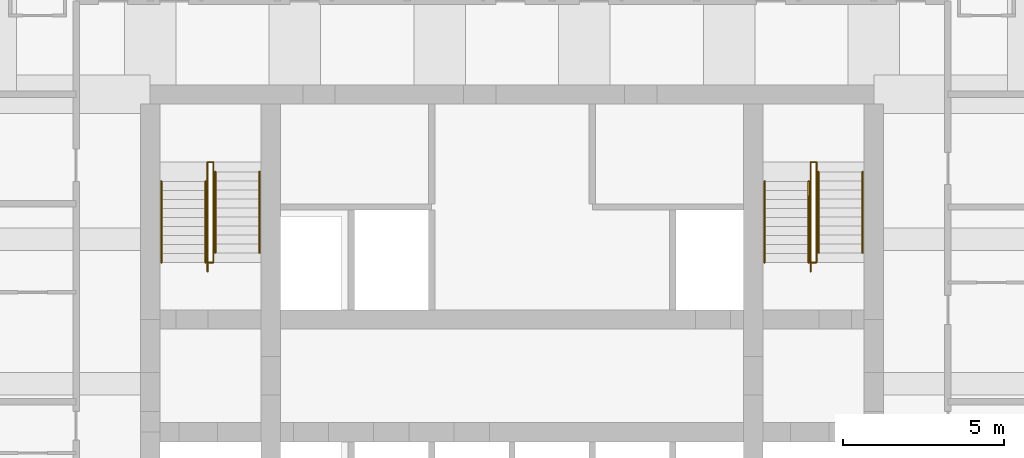
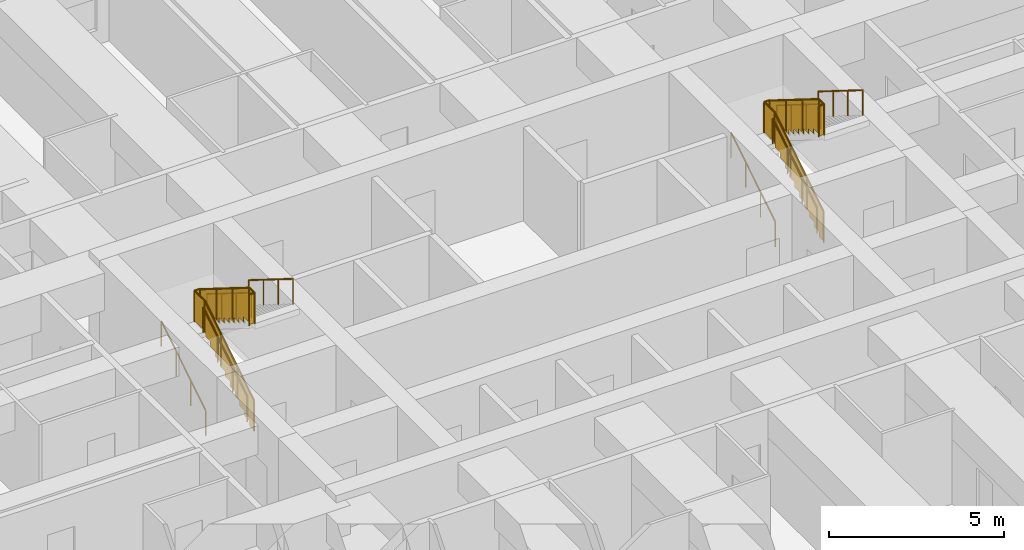
# One storey, part 8 of 8: 12 railings.
"""IFC4 building model written with IfcOpenShell, lengths in metres."""

from ifc_helpers import new_model, si_unit, direction, frame, origin, origin_2d, place, context, subcontext, project, spatial, polyline, circle, outline, extrude, material, type_object, element, save


model = new_model("IFC4")

# Units and contexts
model_context = context("Model", 3, precision=1e-05, world=origin(), true_north=direction((0.0, 1.0)))
body_context = subcontext(model_context, "Body", "Model", "MODEL_VIEW")
ifc_project = project(units=[si_unit("LENGTHUNIT", "METRE"), si_unit("AREAUNIT", "SQUARE_METRE"), si_unit("VOLUMEUNIT", "CUBIC_METRE"), si_unit("PLANEANGLEUNIT", "RADIAN"), si_unit("MASSUNIT", "GRAM", prefix="KILO")], contexts=[model_context])

# Site, building, storey
site_placement = place(None, origin())
site = spatial("IfcSite", under=ifc_project, at=site_placement, CompositionType="ELEMENT")
building_placement = place(site_placement, origin())
building = spatial("IfcBuilding", under=site, at=building_placement, Name="Kilele Tower Hotel", CompositionType="ELEMENT")
storey_placement = place(building_placement, frame((0.0, 0.0, 57.699951171875)))
storey = spatial("IfcBuildingStorey", under=building, at=storey_placement, Name="L13", CompositionType="ELEMENT", Elevation=57.699951171875)

# Railings
ifc_material_1 = material(Name="Steel handrail", Category="steel")
railing_type_1 = type_object("IfcRailingType", Name="Handrail 900", PredefinedType="HANDRAIL", material=ifc_material_1)
for number, where, name in (
    (1, (13.85009765625, 21.77490234375, 0.175048828125), "Handrail ST1 flight 1"),
    (2, (15.22509765625, 21.77490234375, 0.175048828125), "Handrail ST1 flight 1"),
):
    element("IfcRailing", number, at=place(storey_placement, frame(where)), inside=storey, type_object=railing_type_1, Name=name, PredefinedType="HANDRAIL", context=body_context, shape_type="SweptSolid", body=[
        extrude(circle(Radius=0.02490234375, at=origin_2d()), frame((0.0, 0.0, 0.875), z_axis=(0.0, 0.848007534815, 0.529984170421), x_axis=(-1.0, 0.0, 0.0)), (0.0, 0.0, 1.0), 2.9716796875),
        extrude(circle(Radius=0.02001953125, at=origin_2d()), origin(), (0.0, 0.0, 1.0), 0.849853515625),
        extrude(circle(Radius=0.02001953125, at=origin_2d()), frame((0.0, 0.840087890625, 0.52490234375)), (0.0, 0.0, 1.0), 0.849853515625),
        extrude(circle(Radius=0.02001953125, at=origin_2d()), frame((0.0, 1.679931640625, 1.050048828125)), (0.0, 0.0, 1.0), 0.849853515625),
        extrude(circle(Radius=0.02001953125, at=origin_2d()), frame((0.0, 2.52001953125, 1.574951171875)), (0.0, 0.0, 1.0), 0.849853515625),
    ])
for number, where, name in (
    (3, (15.52490234375, 24.594970703125, 1.925048828125), "Handrail ST1 flight 2"),
    (4, (16.89990234375, 24.594970703125, 1.925048828125), "Handrail ST1 flight 2"),
):
    element("IfcRailing", number, at=place(storey_placement, frame(where)), inside=storey, type_object=railing_type_1, Name=name, PredefinedType="HANDRAIL", context=body_context, shape_type="SweptSolid", body=[
        extrude(circle(Radius=0.02490234375, at=origin_2d()), frame((0.0, 0.0, 0.875), z_axis=(0.0, -0.848007534815, 0.529984170421), x_axis=(1.0, 0.0, 0.0)), (0.0, 0.0, 1.0), 2.9716796875),
        extrude(circle(Radius=0.02001953125, at=origin_2d()), origin(), (0.0, 0.0, 1.0), 0.849853515625),
        extrude(circle(Radius=0.02001953125, at=origin_2d()), frame((0.0, -0.840087890625, 0.52490234375)), (0.0, 0.0, 1.0), 0.849853515625),
        extrude(circle(Radius=0.02001953125, at=origin_2d()), frame((0.0, -1.679931640625, 1.050048828125)), (0.0, 0.0, 1.0), 0.849853515625),
        extrude(circle(Radius=0.02001953125, at=origin_2d()), frame((0.0, -2.52001953125, 1.574951171875)), (0.0, 0.0, 1.0), 0.849853515625),
    ])
for number, where, name in (
    (5, (32.60009765625, 21.77490234375, 0.175048828125), "Handrail ST2 flight 1"),
    (6, (33.97509765625, 21.77490234375, 0.175048828125), "Handrail ST2 flight 1"),
):
    element("IfcRailing", number, at=place(storey_placement, frame(where)), inside=storey, type_object=railing_type_1, Name=name, PredefinedType="HANDRAIL", context=body_context, shape_type="SweptSolid", body=[
        extrude(circle(Radius=0.02490234375, at=origin_2d()), frame((0.0, 0.0, 0.875), z_axis=(0.0, 0.848007534815, 0.529984170421), x_axis=(-1.0, 0.0, 0.0)), (0.0, 0.0, 1.0), 2.9716796875),
        extrude(circle(Radius=0.02001953125, at=origin_2d()), origin(), (0.0, 0.0, 1.0), 0.849853515625),
        extrude(circle(Radius=0.02001953125, at=origin_2d()), frame((0.0, 0.840087890625, 0.52490234375)), (0.0, 0.0, 1.0), 0.849853515625),
        extrude(circle(Radius=0.02001953125, at=origin_2d()), frame((0.0, 1.679931640625, 1.050048828125)), (0.0, 0.0, 1.0), 0.849853515625),
        extrude(circle(Radius=0.02001953125, at=origin_2d()), frame((0.0, 2.52001953125, 1.574951171875)), (0.0, 0.0, 1.0), 0.849853515625),
    ])
for number, where, name in (
    (7, (34.27490234375, 24.594970703125, 1.925048828125), "Handrail ST2 flight 2"),
    (8, (35.64990234375, 24.594970703125, 1.925048828125), "Handrail ST2 flight 2"),
):
    element("IfcRailing", number, at=place(storey_placement, frame(where)), inside=storey, type_object=railing_type_1, Name=name, PredefinedType="HANDRAIL", context=body_context, shape_type="SweptSolid", body=[
        extrude(circle(Radius=0.02490234375, at=origin_2d()), frame((0.0, 0.0, 0.875), z_axis=(0.0, -0.848007534815, 0.529984170421), x_axis=(1.0, 0.0, 0.0)), (0.0, 0.0, 1.0), 2.9716796875),
        extrude(circle(Radius=0.02001953125, at=origin_2d()), origin(), (0.0, 0.0, 1.0), 0.849853515625),
        extrude(circle(Radius=0.02001953125, at=origin_2d()), frame((0.0, -0.840087890625, 0.52490234375)), (0.0, 0.0, 1.0), 0.849853515625),
        extrude(circle(Radius=0.02001953125, at=origin_2d()), frame((0.0, -1.679931640625, 1.050048828125)), (0.0, 0.0, 1.0), 0.849853515625),
        extrude(circle(Radius=0.02001953125, at=origin_2d()), frame((0.0, -2.52001953125, 1.574951171875)), (0.0, 0.0, 1.0), 0.849853515625),
    ])
ifc_material_2 = material(Name="Steel guard", Category="steel")
railing_type_2 = type_object("IfcRailingType", Name="Stair guard 1100", PredefinedType="GUARDRAIL", material=ifc_material_2)
railing_1_placement = place(storey_placement, frame((15.284912109375, 21.4951171875, 0.0)))
element("IfcRailing", 9, at=railing_1_placement, inside=storey, type_object=railing_type_2, Name="Stair well guard ST1 flight 1", PredefinedType="GUARDRAIL", context=body_context, shape_type="SweptSolid", body=[
    extrude(circle(Radius=0.02490234375, at=origin_2d()), frame((0.0, 0.0, 1.0751953125), z_axis=(0.0, 0.847981687118, 0.530025526095), x_axis=(-1.0, 0.0, 0.0)), (0.0, 0.0, 1.0), 3.3017578125),
    extrude(circle(Radius=0.02490234375, at=origin_2d()), frame((0.0, 2.7998046875, 2.8251953125), z_axis=(0.0, 1.0, 0.0), x_axis=(-1.0, 0.0, 0.0)), (0.0, 0.0, 1.0), 0.60009765625),
    extrude(circle(Radius=0.02490234375, at=origin_2d()), frame((0.0, 3.39990234375, 2.8251953125), z_axis=(1.0, 0.0, 0.0), x_axis=(0.0, 1.0, 0.0)), (0.0, 0.0, 1.0), 0.18017578125),
    extrude(circle(Radius=0.02490234375, at=origin_2d()), origin(), (0.0, 0.0, 1.0), 1.050048828125),
    extrude(circle(Radius=0.02490234375, at=origin_2d()), frame((0.0, 0.933349609375, 0.583251953125)), (0.0, 0.0, 1.0), 1.050048828125),
    extrude(circle(Radius=0.02490234375, at=origin_2d()), frame((0.0, 1.866455078125, 1.166748046875)), (0.0, 0.0, 1.0), 1.050048828125),
    extrude(circle(Radius=0.02490234375, at=origin_2d()), frame((0.0, 2.7998046875, 1.75)), (0.0, 0.0, 1.0), 1.050048828125),
    extrude(circle(Radius=0.02490234375, at=origin_2d()), frame((0.0, 3.39990234375, 1.75)), (0.0, 0.0, 1.0), 1.050048828125),
    extrude(circle(Radius=0.02490234375, at=origin_2d()), frame((0.18017578125, 3.39990234375, 1.75)), (0.0, 0.0, 1.0), 1.050048828125),
    extrude(outline(polyline([(0.012451171875, 0.030029296875), (0.25, 0.030029296875), (0.25, 0.205078125), (0.530029296875, 0.205078125), (0.530029296875, 0.380126953125), (0.809814453125, 0.380126953125), (0.809814453125, 0.554931640625), (1.08984375, 0.554931640625), (1.08984375, 0.72998046875), (1.369873046875, 0.72998046875), (1.369873046875, 0.905029296875), (1.64990234375, 0.905029296875), (1.64990234375, 1.080078125), (1.929931640625, 1.080078125), (1.929931640625, 1.255126953125), (2.209716796875, 1.255126953125), (2.209716796875, 1.429931640625), (2.48974609375, 1.429931640625), (2.48974609375, 1.60498046875), (2.769775390625, 1.60498046875), (2.769775390625, 1.780029296875), (2.787353515625, 1.780029296875), (2.787353515625, 2.787841796875), (0.012451171875, 1.053466796875), (0.012451171875, 0.030029296875)])), frame((-0.005859375, 0.0, 0.0), z_axis=(1.0, 0.0, 0.0), x_axis=(0.0, 1.0, 0.0)), (0.0, 0.0, 1.0), 0.011962890625),
    extrude(outline(polyline([(0.012451171875, 0.030029296875), (0.587646484375, 0.030029296875), (0.587646484375, 1.050048828125), (0.012451171875, 1.050048828125), (0.012451171875, 0.030029296875)])), frame((-0.005859375, 2.7998046875, 1.75), z_axis=(1.0, 0.0, 0.0), x_axis=(0.0, 1.0, 0.0)), (0.0, 0.0, 1.0), 0.011962890625),
    extrude(outline(polyline([(0.012451171875, 0.030029296875), (0.18017578125, 0.030029296875), (0.18017578125, 1.050048828125), (0.012451171875, 1.050048828125), (0.012451171875, 0.030029296875)])), frame((0.0, 3.40576171875, 1.75), z_axis=(0.0, -1.0, 0.0), x_axis=(1.0, 0.0, 0.0)), (0.0, 0.0, 1.0), 0.011962890625),
])
railing_2_placement = place(storey_placement, frame((15.465087890625, 24.89501953125, 1.75)))
element("IfcRailing", 10, at=railing_2_placement, inside=storey, type_object=railing_type_2, Name="Stair well guard ST1 flight 2", PredefinedType="GUARDRAIL", context=body_context, shape_type="SweptSolid", body=[
    extrude(circle(Radius=0.02490234375, at=origin_2d()), frame((0.0, 0.0, 1.0751953125), z_axis=(0.0, -1.0, 0.0), x_axis=(1.0, 0.0, 0.0)), (0.0, 0.0, 1.0), 0.02001953125),
    extrude(circle(Radius=0.02490234375, at=origin_2d()), frame((0.0, -0.02001953125, 1.0751953125), z_axis=(0.0, -0.848002457836, 0.529992293815), x_axis=(1.0, 0.0, 0.0)), (0.0, 0.0, 1.0), 3.302001953125),
    extrude(circle(Radius=0.02490234375, at=origin_2d()), frame((0.0, -2.820068359375, 2.8251953125), z_axis=(0.0, -1.0, 0.0), x_axis=(1.0, 0.0, 0.0)), (0.0, 0.0, 1.0), 0.300048828125),
    extrude(circle(Radius=0.02490234375, at=origin_2d()), frame((0.0, -3.1201171875, 2.8251953125), z_axis=(-1.0, 0.0, 0.0), x_axis=(0.0, -1.0, 0.0)), (0.0, 0.0, 1.0), 0.18017578125),
    extrude(circle(Radius=0.02490234375, at=origin_2d()), origin(), (0.0, 0.0, 1.0), 1.050048828125),
    extrude(circle(Radius=0.02490234375, at=origin_2d()), frame((0.0, -0.02001953125, 0.0)), (0.0, 0.0, 1.0), 1.050048828125),
    extrude(circle(Radius=0.02490234375, at=origin_2d()), frame((0.0, -0.953369140625, 0.583251953125)), (0.0, 0.0, 1.0), 1.050048828125),
    extrude(circle(Radius=0.02490234375, at=origin_2d()), frame((0.0, -1.88671875, 1.166748046875)), (0.0, 0.0, 1.0), 1.050048828125),
    extrude(circle(Radius=0.02490234375, at=origin_2d()), frame((0.0, -2.820068359375, 1.75)), (0.0, 0.0, 1.0), 1.050048828125),
    extrude(circle(Radius=0.02490234375, at=origin_2d()), frame((0.0, -3.1201171875, 1.75)), (0.0, 0.0, 1.0), 1.050048828125),
    extrude(circle(Radius=0.02490234375, at=origin_2d()), frame((-0.18017578125, -3.1201171875, 1.75)), (0.0, 0.0, 1.0), 1.050048828125),
    extrude(outline(polyline([(0.012451171875, 0.030029296875), (0.25, 0.030029296875), (0.25, 0.205078125), (0.530029296875, 0.205078125), (0.530029296875, 0.380126953125), (0.81005859375, 0.380126953125), (0.81005859375, 0.554931640625), (1.090087890625, 0.554931640625), (1.090087890625, 0.72998046875), (1.3701171875, 0.72998046875), (1.3701171875, 0.905029296875), (1.64990234375, 0.905029296875), (1.64990234375, 1.080078125), (1.929931640625, 1.080078125), (1.929931640625, 1.255126953125), (2.2099609375, 1.255126953125), (2.2099609375, 1.429931640625), (2.489990234375, 1.429931640625), (2.489990234375, 1.60498046875), (2.77001953125, 1.60498046875), (2.77001953125, 1.780029296875), (2.78759765625, 1.780029296875), (2.78759765625, 2.787841796875), (0.012451171875, 1.053466796875), (0.012451171875, 0.030029296875)])), frame((0.005859375, -0.02001953125, 0.0), z_axis=(-1.0, 0.0, 0.0), x_axis=(0.0, -1.0, 0.0)), (0.0, 0.0, 1.0), 0.011962890625),
    extrude(outline(polyline([(0.012451171875, 0.030029296875), (0.28759765625, 0.030029296875), (0.28759765625, 1.050048828125), (0.012451171875, 1.050048828125), (0.012451171875, 0.030029296875)])), frame((0.005859375, -2.820068359375, 1.75), z_axis=(-1.0, 0.0, 0.0), x_axis=(0.0, -1.0, 0.0)), (0.0, 0.0, 1.0), 0.011962890625),
    extrude(outline(polyline([(0.012451171875, 0.030029296875), (0.18017578125, 0.030029296875), (0.18017578125, 1.050048828125), (0.012451171875, 1.050048828125), (0.012451171875, 0.030029296875)])), frame((0.0, -3.1259765625, 1.75), z_axis=(0.0, 1.0, 0.0), x_axis=(-1.0, 0.0, 0.0)), (0.0, 0.0, 1.0), 0.011962890625),
])
railing_3_placement = place(storey_placement, frame((34.034912109375, 21.4951171875, 0.0)))
element("IfcRailing", 11, at=railing_3_placement, inside=storey, type_object=railing_type_2, Name="Stair well guard ST2 flight 1", PredefinedType="GUARDRAIL", context=body_context, shape_type="SweptSolid", body=[
    extrude(circle(Radius=0.02490234375, at=origin_2d()), frame((0.0, 0.0, 1.0751953125), z_axis=(0.0, 0.847981687118, 0.530025526095), x_axis=(-1.0, 0.0, 0.0)), (0.0, 0.0, 1.0), 3.3017578125),
    extrude(circle(Radius=0.02490234375, at=origin_2d()), frame((0.0, 2.7998046875, 2.8251953125), z_axis=(0.0, 1.0, 0.0), x_axis=(-1.0, 0.0, 0.0)), (0.0, 0.0, 1.0), 0.60009765625),
    extrude(circle(Radius=0.02490234375, at=origin_2d()), frame((0.0, 3.39990234375, 2.8251953125), z_axis=(1.0, 0.0, 0.0), x_axis=(0.0, 1.0, 0.0)), (0.0, 0.0, 1.0), 0.18017578125),
    extrude(circle(Radius=0.02490234375, at=origin_2d()), origin(), (0.0, 0.0, 1.0), 1.050048828125),
    extrude(circle(Radius=0.02490234375, at=origin_2d()), frame((0.0, 0.933349609375, 0.583251953125)), (0.0, 0.0, 1.0), 1.050048828125),
    extrude(circle(Radius=0.02490234375, at=origin_2d()), frame((0.0, 1.866455078125, 1.166748046875)), (0.0, 0.0, 1.0), 1.050048828125),
    extrude(circle(Radius=0.02490234375, at=origin_2d()), frame((0.0, 2.7998046875, 1.75)), (0.0, 0.0, 1.0), 1.050048828125),
    extrude(circle(Radius=0.02490234375, at=origin_2d()), frame((0.0, 3.39990234375, 1.75)), (0.0, 0.0, 1.0), 1.050048828125),
    extrude(circle(Radius=0.02490234375, at=origin_2d()), frame((0.18017578125, 3.39990234375, 1.75)), (0.0, 0.0, 1.0), 1.050048828125),
    extrude(outline(polyline([(0.012451171875, 0.030029296875), (0.25, 0.030029296875), (0.25, 0.205078125), (0.530029296875, 0.205078125), (0.530029296875, 0.380126953125), (0.809814453125, 0.380126953125), (0.809814453125, 0.554931640625), (1.08984375, 0.554931640625), (1.08984375, 0.72998046875), (1.369873046875, 0.72998046875), (1.369873046875, 0.905029296875), (1.64990234375, 0.905029296875), (1.64990234375, 1.080078125), (1.929931640625, 1.080078125), (1.929931640625, 1.255126953125), (2.209716796875, 1.255126953125), (2.209716796875, 1.429931640625), (2.48974609375, 1.429931640625), (2.48974609375, 1.60498046875), (2.769775390625, 1.60498046875), (2.769775390625, 1.780029296875), (2.787353515625, 1.780029296875), (2.787353515625, 2.787841796875), (0.012451171875, 1.053466796875), (0.012451171875, 0.030029296875)])), frame((-0.005859375, 0.0, 0.0), z_axis=(1.0, 0.0, 0.0), x_axis=(0.0, 1.0, 0.0)), (0.0, 0.0, 1.0), 0.011962890625),
    extrude(outline(polyline([(0.012451171875, 0.030029296875), (0.587646484375, 0.030029296875), (0.587646484375, 1.050048828125), (0.012451171875, 1.050048828125), (0.012451171875, 0.030029296875)])), frame((-0.005859375, 2.7998046875, 1.75), z_axis=(1.0, 0.0, 0.0), x_axis=(0.0, 1.0, 0.0)), (0.0, 0.0, 1.0), 0.011962890625),
    extrude(outline(polyline([(0.012451171875, 0.030029296875), (0.18017578125, 0.030029296875), (0.18017578125, 1.050048828125), (0.012451171875, 1.050048828125), (0.012451171875, 0.030029296875)])), frame((0.0, 3.40576171875, 1.75), z_axis=(0.0, -1.0, 0.0), x_axis=(1.0, 0.0, 0.0)), (0.0, 0.0, 1.0), 0.011962890625),
])
railing_4_placement = place(storey_placement, frame((34.215087890625, 24.89501953125, 1.75)))
element("IfcRailing", 12, at=railing_4_placement, inside=storey, type_object=railing_type_2, Name="Stair well guard ST2 flight 2", PredefinedType="GUARDRAIL", context=body_context, shape_type="SweptSolid", body=[
    extrude(circle(Radius=0.02490234375, at=origin_2d()), frame((0.0, 0.0, 1.0751953125), z_axis=(0.0, -1.0, 0.0), x_axis=(1.0, 0.0, 0.0)), (0.0, 0.0, 1.0), 0.02001953125),
    extrude(circle(Radius=0.02490234375, at=origin_2d()), frame((0.0, -0.02001953125, 1.0751953125), z_axis=(0.0, -0.848002457836, 0.529992293815), x_axis=(1.0, 0.0, 0.0)), (0.0, 0.0, 1.0), 3.302001953125),
    extrude(circle(Radius=0.02490234375, at=origin_2d()), frame((0.0, -2.820068359375, 2.8251953125), z_axis=(0.0, -1.0, 0.0), x_axis=(1.0, 0.0, 0.0)), (0.0, 0.0, 1.0), 0.300048828125),
    extrude(circle(Radius=0.02490234375, at=origin_2d()), frame((0.0, -3.1201171875, 2.8251953125), z_axis=(-1.0, 0.0, 0.0), x_axis=(0.0, -1.0, 0.0)), (0.0, 0.0, 1.0), 0.18017578125),
    extrude(circle(Radius=0.02490234375, at=origin_2d()), origin(), (0.0, 0.0, 1.0), 1.050048828125),
    extrude(circle(Radius=0.02490234375, at=origin_2d()), frame((0.0, -0.02001953125, 0.0)), (0.0, 0.0, 1.0), 1.050048828125),
    extrude(circle(Radius=0.02490234375, at=origin_2d()), frame((0.0, -0.953369140625, 0.583251953125)), (0.0, 0.0, 1.0), 1.050048828125),
    extrude(circle(Radius=0.02490234375, at=origin_2d()), frame((0.0, -1.88671875, 1.166748046875)), (0.0, 0.0, 1.0), 1.050048828125),
    extrude(circle(Radius=0.02490234375, at=origin_2d()), frame((0.0, -2.820068359375, 1.75)), (0.0, 0.0, 1.0), 1.050048828125),
    extrude(circle(Radius=0.02490234375, at=origin_2d()), frame((0.0, -3.1201171875, 1.75)), (0.0, 0.0, 1.0), 1.050048828125),
    extrude(circle(Radius=0.02490234375, at=origin_2d()), frame((-0.18017578125, -3.1201171875, 1.75)), (0.0, 0.0, 1.0), 1.050048828125),
    extrude(outline(polyline([(0.012451171875, 0.030029296875), (0.25, 0.030029296875), (0.25, 0.205078125), (0.530029296875, 0.205078125), (0.530029296875, 0.380126953125), (0.81005859375, 0.380126953125), (0.81005859375, 0.554931640625), (1.090087890625, 0.554931640625), (1.090087890625, 0.72998046875), (1.3701171875, 0.72998046875), (1.3701171875, 0.905029296875), (1.64990234375, 0.905029296875), (1.64990234375, 1.080078125), (1.929931640625, 1.080078125), (1.929931640625, 1.255126953125), (2.2099609375, 1.255126953125), (2.2099609375, 1.429931640625), (2.489990234375, 1.429931640625), (2.489990234375, 1.60498046875), (2.77001953125, 1.60498046875), (2.77001953125, 1.780029296875), (2.78759765625, 1.780029296875), (2.78759765625, 2.787841796875), (0.012451171875, 1.053466796875), (0.012451171875, 0.030029296875)])), frame((0.005859375, -0.02001953125, 0.0), z_axis=(-1.0, 0.0, 0.0), x_axis=(0.0, -1.0, 0.0)), (0.0, 0.0, 1.0), 0.011962890625),
    extrude(outline(polyline([(0.012451171875, 0.030029296875), (0.28759765625, 0.030029296875), (0.28759765625, 1.050048828125), (0.012451171875, 1.050048828125), (0.012451171875, 0.030029296875)])), frame((0.005859375, -2.820068359375, 1.75), z_axis=(-1.0, 0.0, 0.0), x_axis=(0.0, -1.0, 0.0)), (0.0, 0.0, 1.0), 0.011962890625),
    extrude(outline(polyline([(0.012451171875, 0.030029296875), (0.18017578125, 0.030029296875), (0.18017578125, 1.050048828125), (0.012451171875, 1.050048828125), (0.012451171875, 0.030029296875)])), frame((0.0, -3.1259765625, 1.75), z_axis=(0.0, 1.0, 0.0), x_axis=(-1.0, 0.0, 0.0)), (0.0, 0.0, 1.0), 0.011962890625),
])

save(model, "model.ifc")
